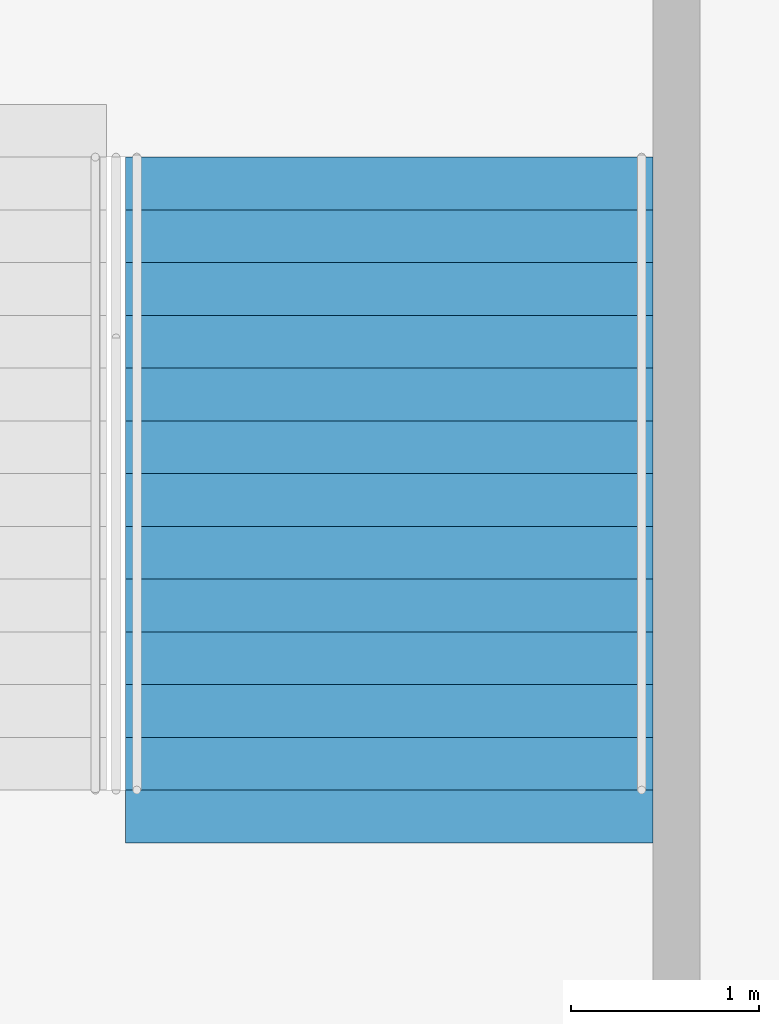
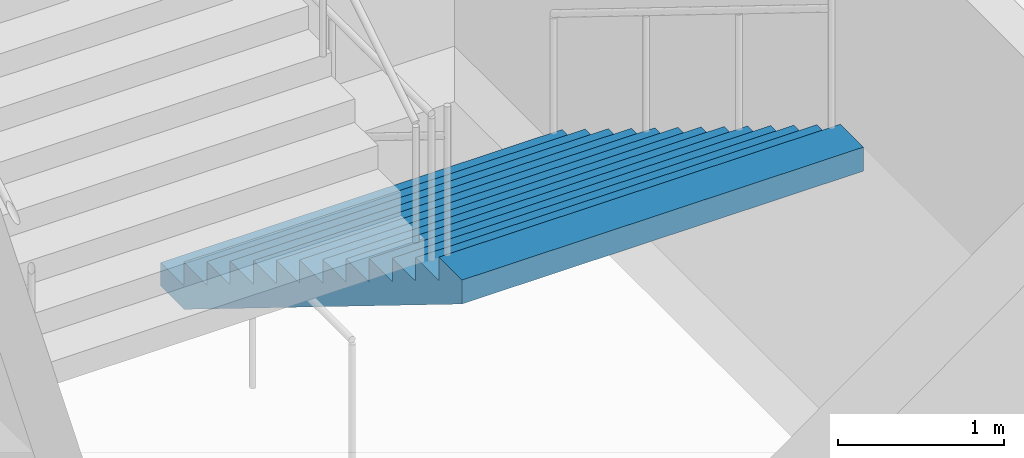
# One storey, part 123 of 199: 1 stair flight, 1 element without a shape of its own.
"""IFC4 building model written with IfcOpenShell, lengths in metres."""

from ifc_helpers import new_model, si_unit, direction, frame, origin, place, context, subcontext, project, spatial, faceted_brep, material, type_object, element, aggregate, save


model = new_model("IFC4")

# Units and contexts
model_context = context("Model", 3, precision=1e-05, world=origin(), true_north=direction((0.0, 1.0)))
body_context = subcontext(model_context, "Body", "Model", "MODEL_VIEW")
ifc_project = project(units=[si_unit("LENGTHUNIT", "METRE"), si_unit("AREAUNIT", "SQUARE_METRE"), si_unit("VOLUMEUNIT", "CUBIC_METRE"), si_unit("PLANEANGLEUNIT", "RADIAN"), si_unit("MASSUNIT", "GRAM", prefix="KILO")], contexts=[model_context])

# Site, building, storey
site_placement = place(None, origin())
site = spatial("IfcSite", under=ifc_project, at=site_placement, CompositionType="ELEMENT")
building_placement = place(site_placement, origin())
building = spatial("IfcBuilding", under=site, at=building_placement, Name="Ogive Plaza Stadium", CompositionType="ELEMENT")
storey_placement = place(building_placement, frame((0.0, 0.0, 4.5)))
storey = spatial("IfcBuildingStorey", under=building, at=storey_placement, Name="L01", CompositionType="ELEMENT", Elevation=4.5)

# Stair, stair flight
ifc_material_1 = material(Name="Concrete C40/50", Category="concrete")
stair_type = type_object("IfcStairType", Name="Exit stair", PredefinedType="STRAIGHT_RUN_STAIR", material=ifc_material_1)
stair_placement = place(storey_placement, origin())
stair = element("IfcStair", 1, at=stair_placement, inside=storey, type_object=stair_type, Name="Exit stair ST14B L01 to L02", PredefinedType="STRAIGHT_RUN_STAIR")
ifc_material_2 = material(Name="Concrete C40/50", Category="concrete")
stair_flight_type = type_object("IfcStairFlightType", Name="Exit stair flight", PredefinedType="STRAIGHT", material=ifc_material_2)
stair_flight_placement = place(storey_placement, frame((11.22509765625, -94.85009765625, 0.0), z_axis=(0.0, 0.0, 1.0), x_axis=(0.0, -1.0, 0.0)))
stair_flight = element("IfcStairFlight", 2, at=stair_flight_placement, type_object=stair_flight_type, Name="ST14B flight 1", NumberOfRisers=13, NumberOfTreads=12, PredefinedType="STRAIGHT", RiserHeight=0.173076923, TreadLength=0.28, context=body_context, shape_type="Brep", body=[
    faceted_brep([(0.28515625, -1.39990234375, 0.0), (3.639892578125, -1.39990234375, 2.07373046875), (3.639892578125, -1.39990234375, 2.25), (3.360107421875, -1.39990234375, 2.25), (3.360107421875, -1.39990234375, 2.076904296875), (3.080078125, -1.39990234375, 2.076904296875), (3.080078125, -1.39990234375, 1.90380859375), (2.800048828125, -1.39990234375, 1.90380859375), (2.800048828125, -1.39990234375, 1.730712890625), (2.52001953125, -1.39990234375, 1.730712890625), (2.52001953125, -1.39990234375, 1.5576171875), (2.239990234375, -1.39990234375, 1.5576171875), (2.239990234375, -1.39990234375, 1.384521484375), (1.9599609375, -1.39990234375, 1.384521484375), (1.9599609375, -1.39990234375, 1.21142578125), (1.679931640625, -1.39990234375, 1.21142578125), (1.679931640625, -1.39990234375, 1.03857421875), (1.39990234375, -1.39990234375, 1.03857421875), (1.39990234375, -1.39990234375, 0.865478515625), (1.1201171875, -1.39990234375, 0.865478515625), (1.1201171875, -1.39990234375, 0.6923828125), (0.840087890625, -1.39990234375, 0.6923828125), (0.840087890625, -1.39990234375, 0.519287109375), (0.56005859375, -1.39990234375, 0.519287109375), (0.56005859375, -1.39990234375, 0.34619140625), (0.280029296875, -1.39990234375, 0.34619140625), (0.280029296875, -1.39990234375, 0.173095703125), (0.0, -1.39990234375, 0.173095703125), (0.0, -1.39990234375, 0.0), (0.0, 1.39990234375, 0.0), (0.0, 1.39990234375, 0.173095703125), (0.280029296875, 1.39990234375, 0.173095703125), (0.280029296875, 1.39990234375, 0.34619140625), (0.56005859375, 1.39990234375, 0.34619140625), (0.56005859375, 1.39990234375, 0.519287109375), (0.840087890625, 1.39990234375, 0.519287109375), (0.840087890625, 1.39990234375, 0.6923828125), (1.1201171875, 1.39990234375, 0.6923828125), (1.1201171875, 1.39990234375, 0.865478515625), (1.39990234375, 1.39990234375, 0.865478515625), (1.39990234375, 1.39990234375, 1.03857421875), (1.679931640625, 1.39990234375, 1.03857421875), (1.679931640625, 1.39990234375, 1.21142578125), (1.9599609375, 1.39990234375, 1.21142578125), (1.9599609375, 1.39990234375, 1.384521484375), (2.239990234375, 1.39990234375, 1.384521484375), (2.239990234375, 1.39990234375, 1.5576171875), (2.52001953125, 1.39990234375, 1.5576171875), (2.52001953125, 1.39990234375, 1.730712890625), (2.800048828125, 1.39990234375, 1.730712890625), (2.800048828125, 1.39990234375, 1.90380859375), (3.080078125, 1.39990234375, 1.90380859375), (3.080078125, 1.39990234375, 2.076904296875), (3.360107421875, 1.39990234375, 2.076904296875), (3.360107421875, 1.39990234375, 2.25), (3.639892578125, 1.39990234375, 2.25), (3.639892578125, 1.39990234375, 2.07373046875), (0.28515625, 1.39990234375, 0.0), (0.28515625, -1.0888671875, 0.0), (3.639892578125, -1.0888671875, 2.07373046875), (0.28515625, -0.77783203125, 0.0), (3.639892578125, -0.77783203125, 2.07373046875), (0.28515625, -0.466796875, 0.0), (3.639892578125, -0.466796875, 2.07373046875), (0.28515625, -0.155517578125, 0.0), (3.639892578125, -0.155517578125, 2.07373046875), (0.28515625, 0.155517578125, 0.0), (3.639892578125, 0.155517578125, 2.07373046875), (0.28515625, 0.466796875, 0.0), (3.639892578125, 0.466796875, 2.07373046875), (0.28515625, 0.77783203125, 0.0), (3.639892578125, 0.77783203125, 2.07373046875), (0.28515625, 1.0888671875, 0.0), (3.639892578125, 1.0888671875, 2.07373046875), (3.639892578125, -1.0888671875, 2.25), (3.639892578125, -0.77783203125, 2.25), (3.639892578125, -0.466796875, 2.25), (3.639892578125, -0.155517578125, 2.25), (3.639892578125, 0.155517578125, 2.25), (3.639892578125, 0.466796875, 2.25), (3.639892578125, 0.77783203125, 2.25), (3.639892578125, 1.0888671875, 2.25), (3.360107421875, -1.0888671875, 2.25), (3.360107421875, -0.77783203125, 2.25), (3.360107421875, -0.466796875, 2.25), (3.360107421875, -0.155517578125, 2.25), (3.360107421875, 0.155517578125, 2.25), (3.360107421875, 0.466796875, 2.25), (3.360107421875, 0.77783203125, 2.25), (3.360107421875, 1.0888671875, 2.25), (3.360107421875, -1.0888671875, 2.076904296875), (3.360107421875, -0.77783203125, 2.076904296875), (3.360107421875, -0.466796875, 2.076904296875), (3.360107421875, -0.155517578125, 2.076904296875), (3.360107421875, 0.155517578125, 2.076904296875), (3.360107421875, 0.466796875, 2.076904296875), (3.360107421875, 0.77783203125, 2.076904296875), (3.360107421875, 1.0888671875, 2.076904296875), (3.080078125, -1.0888671875, 2.076904296875), (3.080078125, -0.77783203125, 2.076904296875), (3.080078125, -0.466796875, 2.076904296875), (3.080078125, -0.155517578125, 2.076904296875), (3.080078125, 0.155517578125, 2.076904296875), (3.080078125, 0.466796875, 2.076904296875), (3.080078125, 0.77783203125, 2.076904296875), (3.080078125, 1.0888671875, 2.076904296875), (3.080078125, -1.0888671875, 1.90380859375), (3.080078125, -0.77783203125, 1.90380859375), (3.080078125, -0.466796875, 1.90380859375), (3.080078125, -0.155517578125, 1.90380859375), (3.080078125, 0.155517578125, 1.90380859375), (3.080078125, 0.466796875, 1.90380859375), (3.080078125, 0.77783203125, 1.90380859375), (3.080078125, 1.0888671875, 1.90380859375), (2.800048828125, -1.0888671875, 1.90380859375), (2.800048828125, -0.77783203125, 1.90380859375), (2.800048828125, -0.466796875, 1.90380859375), (2.800048828125, -0.155517578125, 1.90380859375), (2.800048828125, 0.155517578125, 1.90380859375), (2.800048828125, 0.466796875, 1.90380859375), (2.800048828125, 0.77783203125, 1.90380859375), (2.800048828125, 1.0888671875, 1.90380859375), (2.800048828125, -1.0888671875, 1.730712890625), (2.800048828125, -0.77783203125, 1.730712890625), (2.800048828125, -0.466796875, 1.730712890625), (2.800048828125, -0.155517578125, 1.730712890625), (2.800048828125, 0.155517578125, 1.730712890625), (2.800048828125, 0.466796875, 1.730712890625), (2.800048828125, 0.77783203125, 1.730712890625), (2.800048828125, 1.0888671875, 1.730712890625), (2.52001953125, -1.0888671875, 1.730712890625), (2.52001953125, -0.77783203125, 1.730712890625), (2.52001953125, -0.466796875, 1.730712890625), (2.52001953125, -0.155517578125, 1.730712890625), (2.52001953125, 0.155517578125, 1.730712890625), (2.52001953125, 0.466796875, 1.730712890625), (2.52001953125, 0.77783203125, 1.730712890625), (2.52001953125, 1.0888671875, 1.730712890625), (2.52001953125, -1.0888671875, 1.5576171875), (2.52001953125, -0.77783203125, 1.5576171875), (2.52001953125, -0.466796875, 1.5576171875), (2.52001953125, -0.155517578125, 1.5576171875), (2.52001953125, 0.155517578125, 1.5576171875), (2.52001953125, 0.466796875, 1.5576171875), (2.52001953125, 0.77783203125, 1.5576171875), (2.52001953125, 1.0888671875, 1.5576171875), (2.239990234375, -1.0888671875, 1.5576171875), (2.239990234375, -0.77783203125, 1.5576171875), (2.239990234375, -0.466796875, 1.5576171875), (2.239990234375, -0.155517578125, 1.5576171875), (2.239990234375, 0.155517578125, 1.5576171875), (2.239990234375, 0.466796875, 1.5576171875), (2.239990234375, 0.77783203125, 1.5576171875), (2.239990234375, 1.0888671875, 1.5576171875), (2.239990234375, -1.0888671875, 1.384521484375), (2.239990234375, -0.77783203125, 1.384521484375), (2.239990234375, -0.466796875, 1.384521484375), (2.239990234375, -0.155517578125, 1.384521484375), (2.239990234375, 0.155517578125, 1.384521484375), (2.239990234375, 0.466796875, 1.384521484375), (2.239990234375, 0.77783203125, 1.384521484375), (2.239990234375, 1.0888671875, 1.384521484375), (1.9599609375, -1.0888671875, 1.384521484375), (1.9599609375, -0.77783203125, 1.384521484375), (1.9599609375, -0.466796875, 1.384521484375), (1.9599609375, -0.155517578125, 1.384521484375), (1.9599609375, 0.155517578125, 1.384521484375), (1.9599609375, 0.466796875, 1.384521484375), (1.9599609375, 0.77783203125, 1.384521484375), (1.9599609375, 1.0888671875, 1.384521484375), (1.9599609375, -1.0888671875, 1.21142578125), (1.9599609375, -0.77783203125, 1.21142578125), (1.9599609375, -0.466796875, 1.21142578125), (1.9599609375, -0.155517578125, 1.21142578125), (1.9599609375, 0.155517578125, 1.21142578125), (1.9599609375, 0.466796875, 1.21142578125), (1.9599609375, 0.77783203125, 1.21142578125), (1.9599609375, 1.0888671875, 1.21142578125), (1.679931640625, -1.0888671875, 1.21142578125), (1.679931640625, -0.77783203125, 1.21142578125), (1.679931640625, -0.466796875, 1.21142578125), (1.679931640625, -0.155517578125, 1.21142578125), (1.679931640625, 0.155517578125, 1.21142578125), (1.679931640625, 0.466796875, 1.21142578125), (1.679931640625, 0.77783203125, 1.21142578125), (1.679931640625, 1.0888671875, 1.21142578125), (1.679931640625, -1.0888671875, 1.03857421875), (1.679931640625, -0.77783203125, 1.03857421875), (1.679931640625, -0.466796875, 1.03857421875), (1.679931640625, -0.155517578125, 1.03857421875), (1.679931640625, 0.155517578125, 1.03857421875), (1.679931640625, 0.466796875, 1.03857421875), (1.679931640625, 0.77783203125, 1.03857421875), (1.679931640625, 1.0888671875, 1.03857421875), (1.39990234375, -1.0888671875, 1.03857421875), (1.39990234375, -0.77783203125, 1.03857421875), (1.39990234375, -0.466796875, 1.03857421875), (1.39990234375, -0.155517578125, 1.03857421875), (1.39990234375, 0.155517578125, 1.03857421875), (1.39990234375, 0.466796875, 1.03857421875), (1.39990234375, 0.77783203125, 1.03857421875), (1.39990234375, 1.0888671875, 1.03857421875), (1.39990234375, -1.0888671875, 0.865478515625), (1.39990234375, -0.77783203125, 0.865478515625), (1.39990234375, -0.466796875, 0.865478515625), (1.39990234375, -0.155517578125, 0.865478515625), (1.39990234375, 0.155517578125, 0.865478515625), (1.39990234375, 0.466796875, 0.865478515625), (1.39990234375, 0.77783203125, 0.865478515625), (1.39990234375, 1.0888671875, 0.865478515625), (1.1201171875, -1.0888671875, 0.865478515625), (1.1201171875, -0.77783203125, 0.865478515625), (1.1201171875, -0.466796875, 0.865478515625), (1.1201171875, -0.155517578125, 0.865478515625), (1.1201171875, 0.155517578125, 0.865478515625), (1.1201171875, 0.466796875, 0.865478515625), (1.1201171875, 0.77783203125, 0.865478515625), (1.1201171875, 1.0888671875, 0.865478515625), (1.1201171875, -1.0888671875, 0.6923828125), (1.1201171875, -0.77783203125, 0.6923828125), (1.1201171875, -0.466796875, 0.6923828125), (1.1201171875, -0.155517578125, 0.6923828125), (1.1201171875, 0.155517578125, 0.6923828125), (1.1201171875, 0.466796875, 0.6923828125), (1.1201171875, 0.77783203125, 0.6923828125), (1.1201171875, 1.0888671875, 0.6923828125), (0.840087890625, -1.0888671875, 0.6923828125), (0.840087890625, -0.77783203125, 0.6923828125), (0.840087890625, -0.466796875, 0.6923828125), (0.840087890625, -0.155517578125, 0.6923828125), (0.840087890625, 0.155517578125, 0.6923828125), (0.840087890625, 0.466796875, 0.6923828125), (0.840087890625, 0.77783203125, 0.6923828125), (0.840087890625, 1.0888671875, 0.6923828125), (0.840087890625, -1.0888671875, 0.519287109375), (0.840087890625, -0.77783203125, 0.519287109375), (0.840087890625, -0.466796875, 0.519287109375), (0.840087890625, -0.155517578125, 0.519287109375), (0.840087890625, 0.155517578125, 0.519287109375), (0.840087890625, 0.466796875, 0.519287109375), (0.840087890625, 0.77783203125, 0.519287109375), (0.840087890625, 1.0888671875, 0.519287109375), (0.56005859375, -1.0888671875, 0.519287109375), (0.56005859375, -0.77783203125, 0.519287109375), (0.56005859375, -0.466796875, 0.519287109375), (0.56005859375, -0.155517578125, 0.519287109375), (0.56005859375, 0.155517578125, 0.519287109375), (0.56005859375, 0.466796875, 0.519287109375), (0.56005859375, 0.77783203125, 0.519287109375), (0.56005859375, 1.0888671875, 0.519287109375), (0.56005859375, -1.0888671875, 0.34619140625), (0.56005859375, -0.77783203125, 0.34619140625), (0.56005859375, -0.466796875, 0.34619140625), (0.56005859375, -0.155517578125, 0.34619140625), (0.56005859375, 0.155517578125, 0.34619140625), (0.56005859375, 0.466796875, 0.34619140625), (0.56005859375, 0.77783203125, 0.34619140625), (0.56005859375, 1.0888671875, 0.34619140625), (0.280029296875, -1.0888671875, 0.34619140625), (0.280029296875, -0.77783203125, 0.34619140625), (0.280029296875, -0.466796875, 0.34619140625), (0.280029296875, -0.155517578125, 0.34619140625), (0.280029296875, 0.155517578125, 0.34619140625), (0.280029296875, 0.466796875, 0.34619140625), (0.280029296875, 0.77783203125, 0.34619140625), (0.280029296875, 1.0888671875, 0.34619140625), (0.280029296875, -1.0888671875, 0.173095703125), (0.280029296875, -0.77783203125, 0.173095703125), (0.280029296875, -0.466796875, 0.173095703125), (0.280029296875, -0.155517578125, 0.173095703125), (0.280029296875, 0.155517578125, 0.173095703125), (0.280029296875, 0.466796875, 0.173095703125), (0.280029296875, 0.77783203125, 0.173095703125), (0.280029296875, 1.0888671875, 0.173095703125), (0.0, -1.0888671875, 0.173095703125), (0.0, -0.77783203125, 0.173095703125), (0.0, -0.466796875, 0.173095703125), (0.0, -0.155517578125, 0.173095703125), (0.0, 0.155517578125, 0.173095703125), (0.0, 0.466796875, 0.173095703125), (0.0, 0.77783203125, 0.173095703125), (0.0, 1.0888671875, 0.173095703125), (0.0, -1.0888671875, 0.0), (0.0, -0.77783203125, 0.0), (0.0, -0.466796875, 0.0), (0.0, -0.155517578125, 0.0), (0.0, 0.155517578125, 0.0), (0.0, 0.466796875, 0.0), (0.0, 0.77783203125, 0.0), (0.0, 1.0888671875, 0.0)], [[[0, 1, 2, 3, 4, 5, 6, 7, 8, 9, 10, 11, 12, 13, 14, 15, 16, 17, 18, 19, 20, 21, 22, 23, 24, 25, 26, 27, 28]], [[29, 30, 31, 32, 33, 34, 35, 36, 37, 38, 39, 40, 41, 42, 43, 44, 45, 46, 47, 48, 49, 50, 51, 52, 53, 54, 55, 56, 57]], [[0, 58, 59, 1]], [[58, 60, 61, 59]], [[60, 62, 63, 61]], [[62, 64, 65, 63]], [[64, 66, 67, 65]], [[66, 68, 69, 67]], [[68, 70, 71, 69]], [[70, 72, 73, 71]], [[72, 57, 56, 73]], [[1, 59, 74, 2]], [[59, 61, 75, 74]], [[61, 63, 76, 75]], [[63, 65, 77, 76]], [[65, 67, 78, 77]], [[67, 69, 79, 78]], [[69, 71, 80, 79]], [[71, 73, 81, 80]], [[73, 56, 55, 81]], [[2, 74, 82, 3]], [[74, 75, 83, 82]], [[75, 76, 84, 83]], [[76, 77, 85, 84]], [[77, 78, 86, 85]], [[78, 79, 87, 86]], [[79, 80, 88, 87]], [[80, 81, 89, 88]], [[81, 55, 54, 89]], [[3, 82, 90, 4]], [[82, 83, 91, 90]], [[83, 84, 92, 91]], [[84, 85, 93, 92]], [[85, 86, 94, 93]], [[86, 87, 95, 94]], [[87, 88, 96, 95]], [[88, 89, 97, 96]], [[89, 54, 53, 97]], [[4, 90, 98, 5]], [[90, 91, 99, 98]], [[91, 92, 100, 99]], [[92, 93, 101, 100]], [[93, 94, 102, 101]], [[94, 95, 103, 102]], [[95, 96, 104, 103]], [[96, 97, 105, 104]], [[97, 53, 52, 105]], [[5, 98, 106, 6]], [[98, 99, 107, 106]], [[99, 100, 108, 107]], [[100, 101, 109, 108]], [[101, 102, 110, 109]], [[102, 103, 111, 110]], [[103, 104, 112, 111]], [[104, 105, 113, 112]], [[105, 52, 51, 113]], [[6, 106, 114, 7]], [[106, 107, 115, 114]], [[107, 108, 116, 115]], [[108, 109, 117, 116]], [[109, 110, 118, 117]], [[110, 111, 119, 118]], [[111, 112, 120, 119]], [[112, 113, 121, 120]], [[113, 51, 50, 121]], [[7, 114, 122, 8]], [[114, 115, 123, 122]], [[115, 116, 124, 123]], [[116, 117, 125, 124]], [[117, 118, 126, 125]], [[118, 119, 127, 126]], [[119, 120, 128, 127]], [[120, 121, 129, 128]], [[121, 50, 49, 129]], [[8, 122, 130, 9]], [[122, 123, 131, 130]], [[123, 124, 132, 131]], [[124, 125, 133, 132]], [[125, 126, 134, 133]], [[126, 127, 135, 134]], [[127, 128, 136, 135]], [[128, 129, 137, 136]], [[129, 49, 48, 137]], [[9, 130, 138, 10]], [[130, 131, 139, 138]], [[131, 132, 140, 139]], [[132, 133, 141, 140]], [[133, 134, 142, 141]], [[134, 135, 143, 142]], [[135, 136, 144, 143]], [[136, 137, 145, 144]], [[137, 48, 47, 145]], [[10, 138, 146, 11]], [[138, 139, 147, 146]], [[139, 140, 148, 147]], [[140, 141, 149, 148]], [[141, 142, 150, 149]], [[142, 143, 151, 150]], [[143, 144, 152, 151]], [[144, 145, 153, 152]], [[145, 47, 46, 153]], [[11, 146, 154, 12]], [[146, 147, 155, 154]], [[147, 148, 156, 155]], [[148, 149, 157, 156]], [[149, 150, 158, 157]], [[150, 151, 159, 158]], [[151, 152, 160, 159]], [[152, 153, 161, 160]], [[153, 46, 45, 161]], [[12, 154, 162, 13]], [[154, 155, 163, 162]], [[155, 156, 164, 163]], [[156, 157, 165, 164]], [[157, 158, 166, 165]], [[158, 159, 167, 166]], [[159, 160, 168, 167]], [[160, 161, 169, 168]], [[161, 45, 44, 169]], [[13, 162, 170, 14]], [[162, 163, 171, 170]], [[163, 164, 172, 171]], [[164, 165, 173, 172]], [[165, 166, 174, 173]], [[166, 167, 175, 174]], [[167, 168, 176, 175]], [[168, 169, 177, 176]], [[169, 44, 43, 177]], [[14, 170, 178, 15]], [[170, 171, 179, 178]], [[171, 172, 180, 179]], [[172, 173, 181, 180]], [[173, 174, 182, 181]], [[174, 175, 183, 182]], [[175, 176, 184, 183]], [[176, 177, 185, 184]], [[177, 43, 42, 185]], [[15, 178, 186, 16]], [[178, 179, 187, 186]], [[179, 180, 188, 187]], [[180, 181, 189, 188]], [[181, 182, 190, 189]], [[182, 183, 191, 190]], [[183, 184, 192, 191]], [[184, 185, 193, 192]], [[185, 42, 41, 193]], [[16, 186, 194, 17]], [[186, 187, 195, 194]], [[187, 188, 196, 195]], [[188, 189, 197, 196]], [[189, 190, 198, 197]], [[190, 191, 199, 198]], [[191, 192, 200, 199]], [[192, 193, 201, 200]], [[193, 41, 40, 201]], [[17, 194, 202, 18]], [[194, 195, 203, 202]], [[195, 196, 204, 203]], [[196, 197, 205, 204]], [[197, 198, 206, 205]], [[198, 199, 207, 206]], [[199, 200, 208, 207]], [[200, 201, 209, 208]], [[201, 40, 39, 209]], [[18, 202, 210, 19]], [[202, 203, 211, 210]], [[203, 204, 212, 211]], [[204, 205, 213, 212]], [[205, 206, 214, 213]], [[206, 207, 215, 214]], [[207, 208, 216, 215]], [[208, 209, 217, 216]], [[209, 39, 38, 217]], [[19, 210, 218, 20]], [[210, 211, 219, 218]], [[211, 212, 220, 219]], [[212, 213, 221, 220]], [[213, 214, 222, 221]], [[214, 215, 223, 222]], [[215, 216, 224, 223]], [[216, 217, 225, 224]], [[217, 38, 37, 225]], [[20, 218, 226, 21]], [[218, 219, 227, 226]], [[219, 220, 228, 227]], [[220, 221, 229, 228]], [[221, 222, 230, 229]], [[222, 223, 231, 230]], [[223, 224, 232, 231]], [[224, 225, 233, 232]], [[225, 37, 36, 233]], [[21, 226, 234, 22]], [[226, 227, 235, 234]], [[227, 228, 236, 235]], [[228, 229, 237, 236]], [[229, 230, 238, 237]], [[230, 231, 239, 238]], [[231, 232, 240, 239]], [[232, 233, 241, 240]], [[233, 36, 35, 241]], [[22, 234, 242, 23]], [[234, 235, 243, 242]], [[235, 236, 244, 243]], [[236, 237, 245, 244]], [[237, 238, 246, 245]], [[238, 239, 247, 246]], [[239, 240, 248, 247]], [[240, 241, 249, 248]], [[241, 35, 34, 249]], [[23, 242, 250, 24]], [[242, 243, 251, 250]], [[243, 244, 252, 251]], [[244, 245, 253, 252]], [[245, 246, 254, 253]], [[246, 247, 255, 254]], [[247, 248, 256, 255]], [[248, 249, 257, 256]], [[249, 34, 33, 257]], [[24, 250, 258, 25]], [[250, 251, 259, 258]], [[251, 252, 260, 259]], [[252, 253, 261, 260]], [[253, 254, 262, 261]], [[254, 255, 263, 262]], [[255, 256, 264, 263]], [[256, 257, 265, 264]], [[257, 33, 32, 265]], [[25, 258, 266, 26]], [[258, 259, 267, 266]], [[259, 260, 268, 267]], [[260, 261, 269, 268]], [[261, 262, 270, 269]], [[262, 263, 271, 270]], [[263, 264, 272, 271]], [[264, 265, 273, 272]], [[265, 32, 31, 273]], [[26, 266, 274, 27]], [[266, 267, 275, 274]], [[267, 268, 276, 275]], [[268, 269, 277, 276]], [[269, 270, 278, 277]], [[270, 271, 279, 278]], [[271, 272, 280, 279]], [[272, 273, 281, 280]], [[273, 31, 30, 281]], [[27, 274, 282, 28]], [[274, 275, 283, 282]], [[275, 276, 284, 283]], [[276, 277, 285, 284]], [[277, 278, 286, 285]], [[278, 279, 287, 286]], [[279, 280, 288, 287]], [[280, 281, 289, 288]], [[281, 30, 29, 289]], [[28, 282, 58, 0]], [[282, 283, 60, 58]], [[283, 284, 62, 60]], [[284, 285, 64, 62]], [[285, 286, 66, 64]], [[286, 287, 68, 66]], [[287, 288, 70, 68]], [[288, 289, 72, 70]], [[289, 29, 57, 72]]]),
])
aggregate(stair, [stair_flight])

save(model, "model.ifc")
